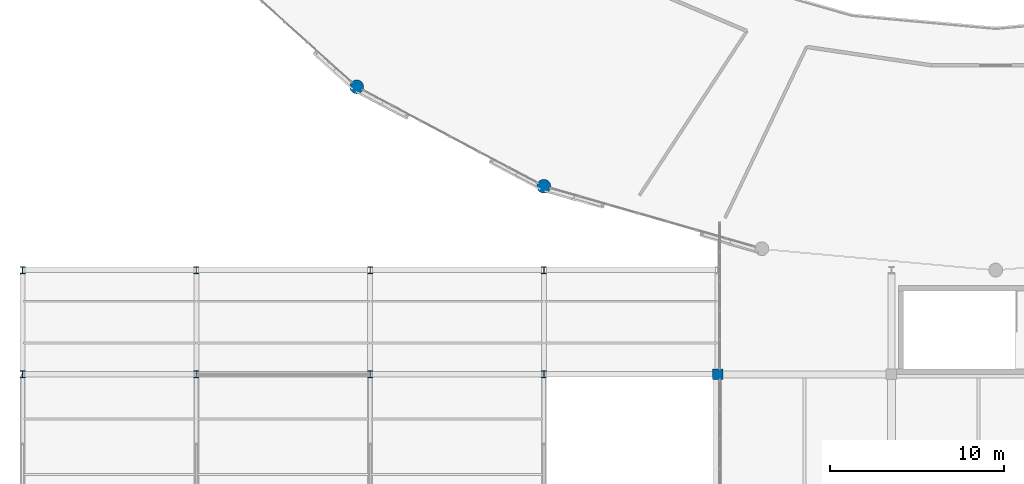
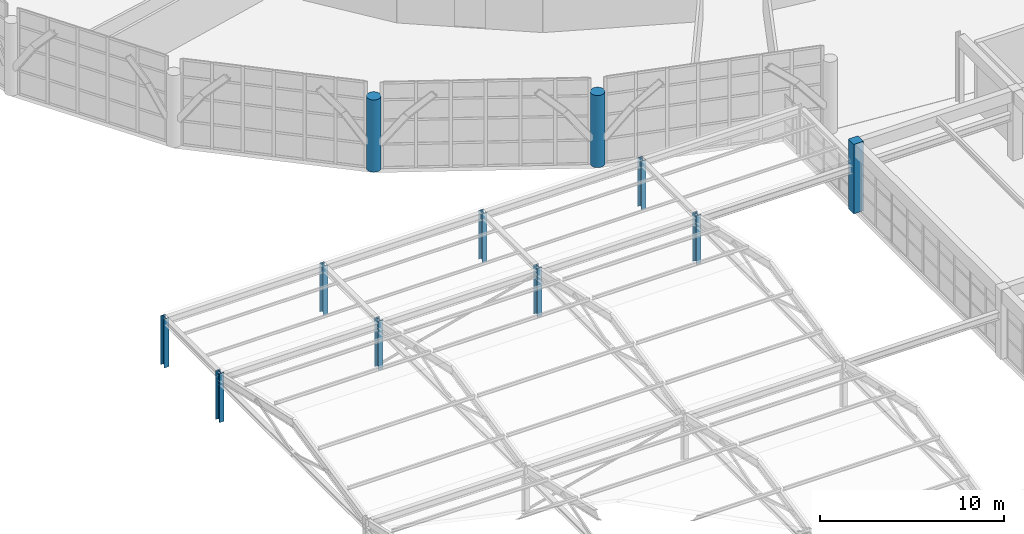
# One storey, part 3 of 109: 11 columns.
"""IFC4 building model written with IfcOpenShell, lengths in metres."""

from ifc_helpers import new_model, si_unit, direction, frame, origin, origin_2d, place, context, subcontext, project, spatial, rectangle, circle, i_section, extrude, material, material_profile, profile_set, type_object, element, save


model = new_model("IFC4")

# Units and contexts
model_context = context("Model", 3, precision=1e-05, world=origin(), true_north=direction((0.0, 1.0)))
body_context = subcontext(model_context, "Body", "Model", "MODEL_VIEW")
ifc_project = project(units=[si_unit("LENGTHUNIT", "METRE"), si_unit("AREAUNIT", "SQUARE_METRE"), si_unit("VOLUMEUNIT", "CUBIC_METRE"), si_unit("PLANEANGLEUNIT", "RADIAN"), si_unit("MASSUNIT", "GRAM", prefix="KILO")], contexts=[model_context])

# Site, building, storey
site_placement = place(None, origin())
site = spatial("IfcSite", under=ifc_project, at=site_placement, CompositionType="ELEMENT")
building_placement = place(site_placement, origin())
building = spatial("IfcBuilding", under=site, at=building_placement, Name="Kivolera Central Railway Station", CompositionType="ELEMENT")
storey_placement = place(building_placement, frame((0.0, 0.0, 9.60009765625)))
storey = spatial("IfcBuildingStorey", under=building, at=storey_placement, Name="L02", CompositionType="ELEMENT", Elevation=9.60009765625)

# Columns
ifc_material_1 = material(Name="Concrete C40/50", Category="concrete")
ifc_material_profile_1 = material_profile(ifc_material_1, rectangle(XDim=0.60009765625, YDim=0.60009765625, at=origin_2d()), Name="RC 600x600")
ifc_profile_set_1 = profile_set([ifc_material_profile_1], Name="Concrete C40/50")
column_type_1 = type_object("IfcColumnType", Name="COL-RC-600", PredefinedType="COLUMN", material=ifc_profile_set_1)
column_placement = place(storey_placement, frame((48.0, 48.0, 0.0), z_axis=(0.0, 0.0, 1.0), x_axis=(1.0, 0.0, 0.0)))
element("IfcColumn", 1, at=column_placement, inside=storey, type_object=column_type_1, Name="L02 Train Shed Upper Mast 5-D", PredefinedType="COLUMN", context=body_context, shape_type="SweptSolid", body=[
    extrude(rectangle(XDim=0.60009765625, YDim=0.60009765625, at=origin_2d()), origin(), (0.0, 0.0, 1.0), 4.619873046875),
])
ifc_material_profile_2 = material_profile(ifc_material_1, circle(Radius=0.39990234375, at=origin_2d()), Name="RC D800")
ifc_profile_set_2 = profile_set([ifc_material_profile_2], Name="Concrete C40/50")
column_type_2 = type_object("IfcColumnType", Name="COL-RC-D800", PredefinedType="COLUMN", material=ifc_profile_set_2)
for number, where, z_axis, x_axis, name in (
    (2, (27.22998046875, 64.5439453125, 0.0), (0.0, 0.0, 1.0), (1.0, 0.0, 0.0), "L02 Oval Drum Perimeter Column P16"),
    (3, (38.0, 58.822998046875, 0.0), (0.0, 0.0, 1.0), (1.0, 0.0, 0.0), "L02 Oval Drum Perimeter Column P17"),
):
    element("IfcColumn", number, at=place(storey_placement, frame(where, z_axis=z_axis, x_axis=x_axis)), inside=storey, type_object=column_type_2, Name=name, PredefinedType="COLUMN", context=body_context, shape_type="SweptSolid", body=[
        extrude(circle(Radius=0.39990234375, at=origin_2d()), origin(), (0.0, 0.0, 1.0), 4.7998046875),
    ])
ifc_material_2 = material(Name="Steel S355", Category="steel")
ifc_material_profile_3 = material_profile(ifc_material_2, i_section(OverallWidth=0.300048828125, OverallDepth=0.39990234375, WebThickness=0.013427734375, FlangeThickness=0.02392578125, FilletRadius=0.027099609375, at=origin_2d()), Name="HEB 400")
ifc_profile_set_3 = profile_set([ifc_material_profile_3], Name="Steel S355")
column_type_3 = type_object("IfcColumnType", Name="COL-STL-HEB400", PredefinedType="COLUMN", material=ifc_profile_set_3)
for number, where, z_axis, x_axis, name in (
    (4, (8.0, 48.0, 0.0), (0.0, 0.0, 1.0), (1.0, 0.0, 0.0), "L02 Train Shed Upper Mast 1-D"),
    (5, (8.0, 54.0, 0.0), (0.0, 0.0, 1.0), (1.0, 0.0, 0.0), "L02 Train Shed Threshold Column 1-E"),
    (6, (18.0, 48.0, 0.0), (0.0, 0.0, 1.0), (1.0, 0.0, 0.0), "L02 Train Shed Upper Mast 2-D"),
    (7, (18.0, 54.0, 0.0), (0.0, 0.0, 1.0), (1.0, 0.0, 0.0), "L02 Train Shed Threshold Column 2-E"),
    (8, (28.0, 48.0, 0.0), (0.0, 0.0, 1.0), (1.0, 0.0, 0.0), "L02 Train Shed Upper Mast 3-D"),
    (9, (28.0, 54.0, 0.0), (0.0, 0.0, 1.0), (1.0, 0.0, 0.0), "L02 Train Shed Threshold Column 3-E"),
    (10, (38.0, 48.0, 0.0), (0.0, 0.0, 1.0), (1.0, 0.0, 0.0), "L02 Train Shed Upper Mast 4-D"),
    (11, (38.0, 54.0, 0.0), (0.0, 0.0, 1.0), (1.0, 0.0, 0.0), "L02 Train Shed Threshold Column 4-E"),
):
    element("IfcColumn", number, at=place(storey_placement, frame(where, z_axis=z_axis, x_axis=x_axis)), inside=storey, type_object=column_type_3, Name=name, PredefinedType="COLUMN", context=body_context, shape_type="SweptSolid", body=[
        extrude(i_section(OverallWidth=0.300048828125, OverallDepth=0.39990234375, WebThickness=0.013427734375, FlangeThickness=0.02392578125, FilletRadius=0.027099609375, at=origin_2d()), origin(), (0.0, 0.0, 1.0), 3.25),
    ])

save(model, "model.ifc")
